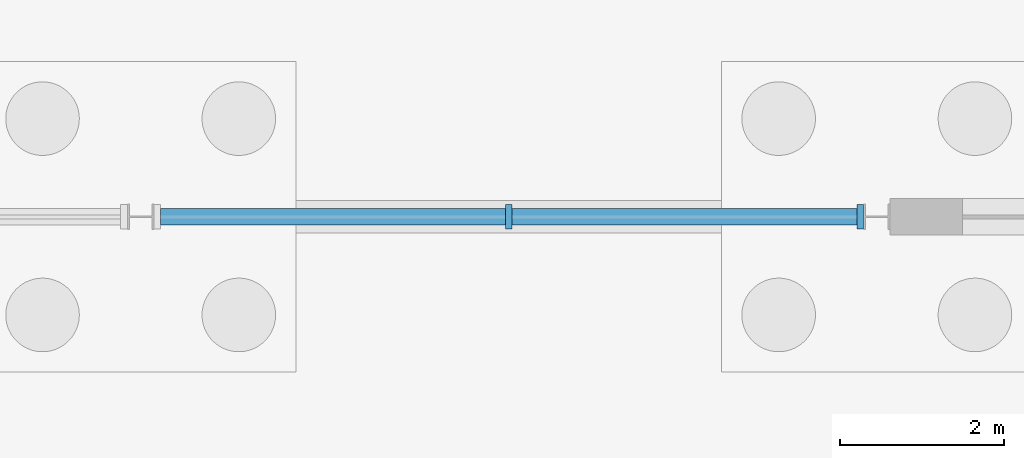
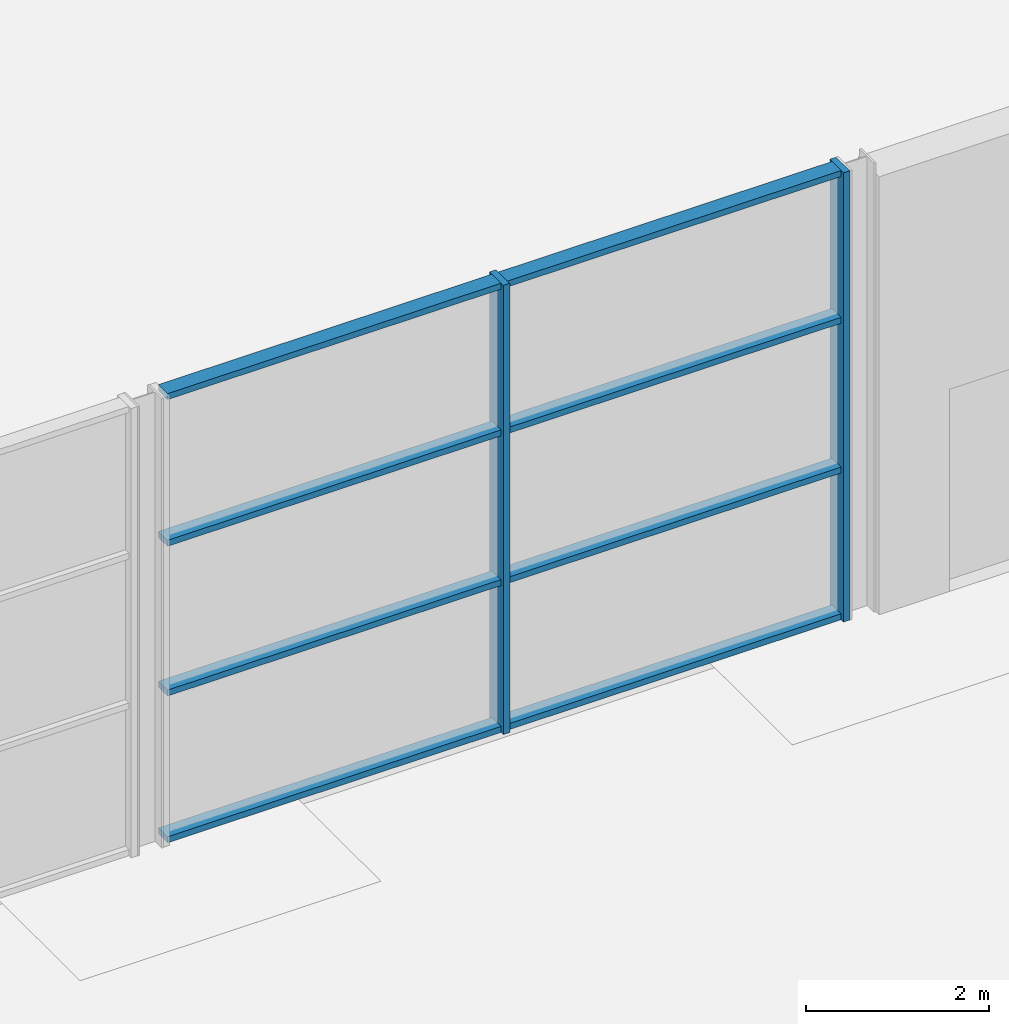
# One storey, part 36 of 97: 10 members, 1 element without a shape of its own.
"""IFC4 building model written with IfcOpenShell, lengths in metres."""

from ifc_helpers import new_model, si_unit, direction, frame, origin, origin_2d, place, context, subcontext, project, spatial, rectangle, extrude, material, layer, layer_set, material_profile, profile_set, type_object, element, aggregate, save


model = new_model("IFC4")

# Units and contexts
model_context = context("Model", 3, precision=1e-05, world=origin(), true_north=direction((0.0, 1.0)))
body_context = subcontext(model_context, "Body", "Model", "MODEL_VIEW")
ifc_project = project(units=[si_unit("LENGTHUNIT", "METRE"), si_unit("AREAUNIT", "SQUARE_METRE"), si_unit("VOLUMEUNIT", "CUBIC_METRE"), si_unit("PLANEANGLEUNIT", "RADIAN"), si_unit("MASSUNIT", "GRAM", prefix="KILO")], contexts=[model_context])

# Site, building, storey
site_placement = place(None, origin())
site = spatial("IfcSite", under=ifc_project, at=site_placement, CompositionType="ELEMENT")
building_placement = place(site_placement, origin())
building = spatial("IfcBuilding", under=site, at=building_placement, Name="Corbel Yard City Hall", CompositionType="ELEMENT")
storey_placement = place(building_placement, origin())
storey = spatial("IfcBuildingStorey", under=building, at=storey_placement, Name="L00", CompositionType="ELEMENT", Elevation=0.0)

# Curtain wall, members
ifc_material = material(Name="Aluminium extrusion", Category="aluminium")
ifc_layer = layer(ifc_material, 0.300048828125)
ifc_layer_set = layer_set([ifc_layer], Name="Aluminium extrusion")
curtain_wall_type = type_object("IfcCurtainWallType", Name="CW7", PredefinedType="USERDEFINED", material=ifc_layer_set)
curtain_wall_placement = place(storey_placement, origin())
curtain_wall = element("IfcCurtainWall", 1, at=curtain_wall_placement, inside=storey, type_object=curtain_wall_type, Name="Curtain wall CW7 L00", ObjectType="CURTAIN WALL", PredefinedType="USERDEFINED")
ifc_material_profile_1 = material_profile(ifc_material, rectangle(XDim=0.300048828125, YDim=0.080078125, at=origin_2d()), Name="300x80")
ifc_profile_set_1 = profile_set([ifc_material_profile_1], Name="Aluminium extrusion")
member_type_1 = type_object("IfcMemberType", Name="ML7", PredefinedType="MULLION", material=ifc_profile_set_1)
member_1_placement = place(storey_placement, frame((112.5, 27.0, 0.0), z_axis=(0.0, 0.0, 1.0), x_axis=(0.0, 1.0, 0.0)))
member_1 = element("IfcMember", 2, at=member_1_placement, type_object=member_type_1, Name="CW7 mullion 2", PredefinedType="MULLION", context=body_context, shape_type="SweptSolid", body=[
    extrude(rectangle(XDim=0.300048828125, YDim=0.080078125, at=origin_2d()), origin(), (0.0, 0.0, 1.0), 6.0),
])
member_2_placement = place(storey_placement, frame((116.79638671875, 27.0, 0.0), z_axis=(0.0, 0.0, 1.0), x_axis=(0.0, 1.0, 0.0)))
member_2 = element("IfcMember", 3, at=member_2_placement, type_object=member_type_1, Name="CW7 mullion 3", PredefinedType="MULLION", context=body_context, shape_type="SweptSolid", body=[
    extrude(rectangle(XDim=0.300048828125, YDim=0.080078125, at=origin_2d()), origin(), (0.0, 0.0, 1.0), 6.0),
])
ifc_material_profile_2 = material_profile(ifc_material, rectangle(XDim=0.199951171875, YDim=0.080078125, at=origin_2d()), Name="200x80")
ifc_profile_set_2 = profile_set([ifc_material_profile_2], Name="Aluminium extrusion")
member_type_2 = type_object("IfcMemberType", Name="TR7", PredefinedType="USERDEFINED", material=ifc_profile_set_2)
member_3_placement = place(storey_placement, frame((108.243408203125, 27.0, 0.0400390625), z_axis=(1.0, 0.0, 0.0), x_axis=(0.0, 1.0, 0.0)))
member_3 = element("IfcMember", 4, at=member_3_placement, type_object=member_type_2, Name="CW7 transom 1.1", ObjectType="TRANSOM", PredefinedType="USERDEFINED", context=body_context, shape_type="SweptSolid", body=[
    extrude(rectangle(XDim=0.199951171875, YDim=0.080078125, at=origin_2d()), origin(), (0.0, 0.0, 1.0), 4.216552734375),
])
member_4_placement = place(storey_placement, frame((108.243408203125, 27.0, 2.0), z_axis=(1.0, 0.0, 0.0), x_axis=(0.0, 1.0, 0.0)))
member_4 = element("IfcMember", 5, at=member_4_placement, type_object=member_type_2, Name="CW7 transom 1.2", ObjectType="TRANSOM", PredefinedType="USERDEFINED", context=body_context, shape_type="SweptSolid", body=[
    extrude(rectangle(XDim=0.199951171875, YDim=0.080078125, at=origin_2d()), origin(), (0.0, 0.0, 1.0), 4.216552734375),
])
member_5_placement = place(storey_placement, frame((108.243408203125, 27.0, 4.0), z_axis=(1.0, 0.0, 0.0), x_axis=(0.0, 1.0, 0.0)))
member_5 = element("IfcMember", 6, at=member_5_placement, type_object=member_type_2, Name="CW7 transom 1.3", ObjectType="TRANSOM", PredefinedType="USERDEFINED", context=body_context, shape_type="SweptSolid", body=[
    extrude(rectangle(XDim=0.199951171875, YDim=0.080078125, at=origin_2d()), origin(), (0.0, 0.0, 1.0), 4.216552734375),
])
member_6_placement = place(storey_placement, frame((108.243408203125, 27.0, 5.9599609375), z_axis=(1.0, 0.0, 0.0), x_axis=(0.0, 1.0, 0.0)))
member_6 = element("IfcMember", 7, at=member_6_placement, type_object=member_type_2, Name="CW7 transom 1.4", ObjectType="TRANSOM", PredefinedType="USERDEFINED", context=body_context, shape_type="SweptSolid", body=[
    extrude(rectangle(XDim=0.199951171875, YDim=0.080078125, at=origin_2d()), origin(), (0.0, 0.0, 1.0), 4.216552734375),
])
member_7_placement = place(storey_placement, frame((112.5400390625, 27.0, 0.0400390625), z_axis=(1.0, 0.0, 0.0), x_axis=(0.0, 1.0, 0.0)))
member_7 = element("IfcMember", 8, at=member_7_placement, type_object=member_type_2, Name="CW7 transom 2.1", ObjectType="TRANSOM", PredefinedType="USERDEFINED", context=body_context, shape_type="SweptSolid", body=[
    extrude(rectangle(XDim=0.199951171875, YDim=0.080078125, at=origin_2d()), origin(), (0.0, 0.0, 1.0), 4.216552734375),
])
member_8_placement = place(storey_placement, frame((112.5400390625, 27.0, 2.0), z_axis=(1.0, 0.0, 0.0), x_axis=(0.0, 1.0, 0.0)))
member_8 = element("IfcMember", 9, at=member_8_placement, type_object=member_type_2, Name="CW7 transom 2.2", ObjectType="TRANSOM", PredefinedType="USERDEFINED", context=body_context, shape_type="SweptSolid", body=[
    extrude(rectangle(XDim=0.199951171875, YDim=0.080078125, at=origin_2d()), origin(), (0.0, 0.0, 1.0), 4.216552734375),
])
member_9_placement = place(storey_placement, frame((112.5400390625, 27.0, 4.0), z_axis=(1.0, 0.0, 0.0), x_axis=(0.0, 1.0, 0.0)))
member_9 = element("IfcMember", 10, at=member_9_placement, type_object=member_type_2, Name="CW7 transom 2.3", ObjectType="TRANSOM", PredefinedType="USERDEFINED", context=body_context, shape_type="SweptSolid", body=[
    extrude(rectangle(XDim=0.199951171875, YDim=0.080078125, at=origin_2d()), origin(), (0.0, 0.0, 1.0), 4.216552734375),
])
member_10_placement = place(storey_placement, frame((112.5400390625, 27.0, 5.9599609375), z_axis=(1.0, 0.0, 0.0), x_axis=(0.0, 1.0, 0.0)))
member_10 = element("IfcMember", 11, at=member_10_placement, type_object=member_type_2, Name="CW7 transom 2.4", ObjectType="TRANSOM", PredefinedType="USERDEFINED", context=body_context, shape_type="SweptSolid", body=[
    extrude(rectangle(XDim=0.199951171875, YDim=0.080078125, at=origin_2d()), origin(), (0.0, 0.0, 1.0), 4.216552734375),
])
aggregate(curtain_wall, [member_1, member_2, member_3, member_4, member_5, member_6, member_7, member_8, member_9, member_10])

save(model, "model.ifc")
